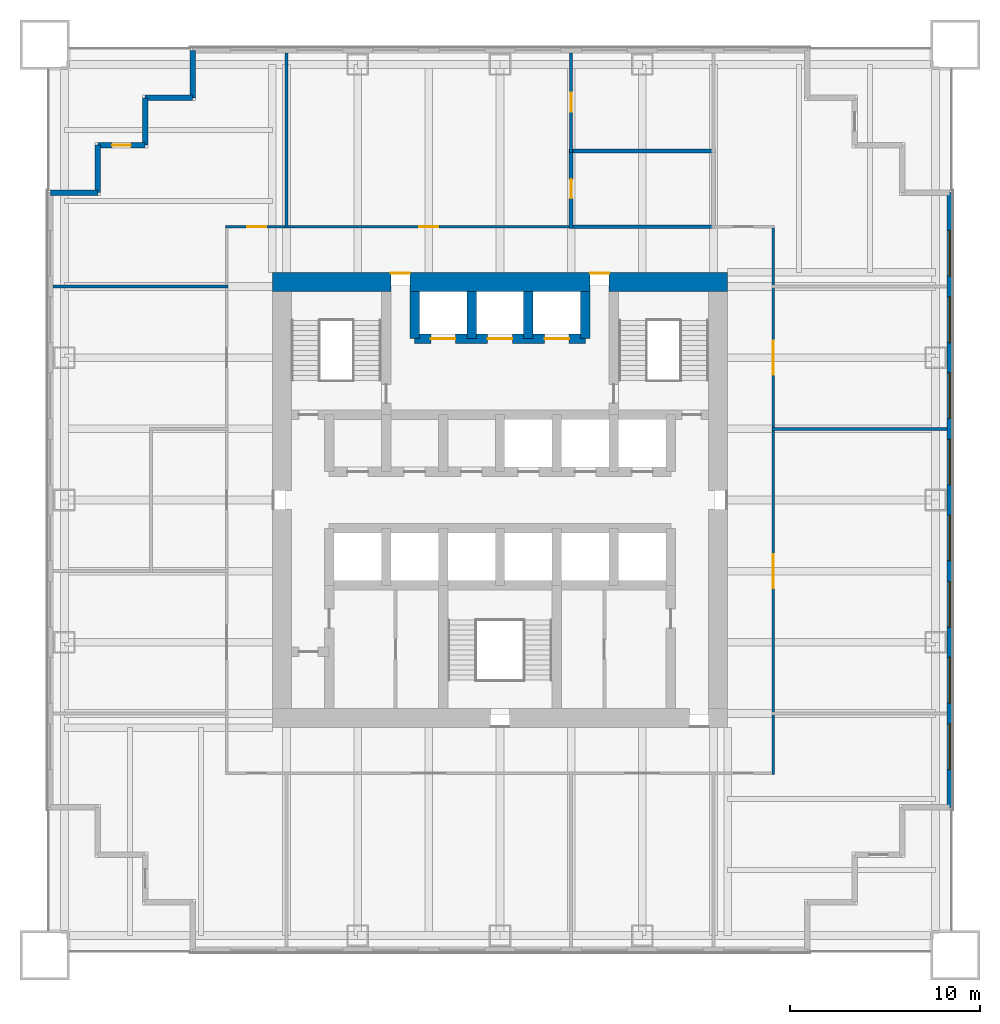
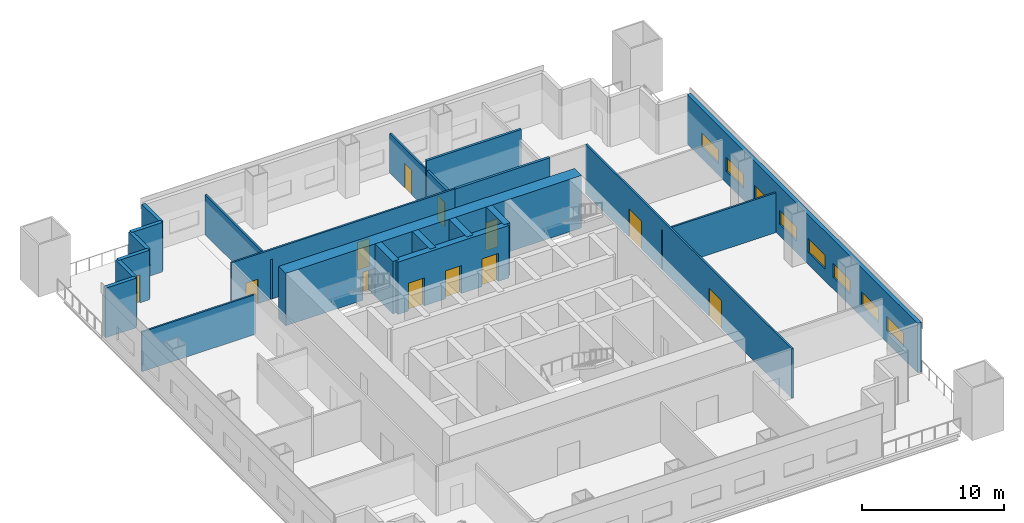
# One storey, part 4 of 7: 22 walls, 12 doors, 8 windows, 20 openings.
"""IFC4 building model written with IfcOpenShell, lengths in metres."""

from ifc_helpers import new_model, si_unit, direction, frame, frame_2d, origin, place, context, subcontext, project, spatial, rectangle, extrude, material, layer, layer_set, type_object, element, fill, save


model = new_model("IFC4")

# Units and contexts
model_context = context("Model", 3, precision=1e-05, world=origin(), true_north=direction((0.0, 1.0)))
body_context = subcontext(model_context, "Body", "Model", "MODEL_VIEW")
ifc_project = project(units=[si_unit("LENGTHUNIT", "METRE"), si_unit("AREAUNIT", "SQUARE_METRE"), si_unit("VOLUMEUNIT", "CUBIC_METRE"), si_unit("PLANEANGLEUNIT", "RADIAN"), si_unit("MASSUNIT", "GRAM", prefix="KILO")], contexts=[model_context])

# Site, building, storey
site_placement = place(None, origin())
site = spatial("IfcSite", under=ifc_project, at=site_placement, CompositionType="ELEMENT")
building_placement = place(site_placement, origin())
building = spatial("IfcBuilding", under=site, at=building_placement, Name="Tarangal Relay Tower", CompositionType="ELEMENT")
storey_placement = place(building_placement, frame((0.0, 0.0, 167.39990234375)))
storey = spatial("IfcBuildingStorey", under=building, at=storey_placement, Name="L34", CompositionType="ELEMENT", Elevation=167.39990234375)

# Walls
ifc_material_1 = material(Name="Two layers gypsum board each side on twin steel studs, mineral wool", Category="steel")
ifc_layer_1 = layer(ifc_material_1, 0.199951171875)
ifc_layer_set_1 = layer_set([ifc_layer_1], Name="Acoustic partition 200")
wall_type_1 = type_object("IfcWallType", Name="Acoustic partition 200", PredefinedType="PARTITIONING", material=ifc_layer_set_1)
for number, where, z_axis, x_axis, name in (
    (1, (3.64990234375, 14.39990234375, 0.0), (0.0, 0.0, 1.0), (1.0, 0.0, 0.0), "Partition PT2 L34"),
    (2, (3.64990234375, 18.39990234375, 0.0), (0.0, 0.0, 1.0), (1.0, 0.0, 0.0), "Partition PT2 L34"),
):
    element("IfcWall", number, at=place(storey_placement, frame(where, z_axis=z_axis, x_axis=x_axis)), inside=storey, type_object=wall_type_1, Name=name, PredefinedType="PARTITIONING", context=body_context, shape_type="SweptSolid", body=[
        extrude(rectangle(XDim=7.7001953125, YDim=0.199951171875, at=frame_2d((3.85009765625, 0.0))), origin(), (0.0, 0.0, 1.0), 4.25),
    ])

# Wall, opening, door
wall_1_placement = place(storey_placement, frame((3.75, 14.300048828125, 0.0), z_axis=(0.0, 0.0, 1.0), x_axis=(0.0, 1.0, 0.0)))
wall_1 = element("IfcWall", 3, at=wall_1_placement, inside=storey, type_object=wall_type_1, Name="Partition PT2 L34", PredefinedType="PARTITIONING", context=body_context, shape_type="SweptSolid", body=[
    extrude(rectangle(XDim=4.199951171875, YDim=0.199951171875, at=frame_2d((2.10009765625, 0.0))), origin(), (0.0, 0.0, 1.0), 3.409423828125),
])
opening_1_placement = place(wall_1_placement, frame((1.60009765625, 0.0, 0.0)))
opening_1 = element("IfcOpeningElement", 4, at=opening_1_placement, cuts=wall_1, Name="Opening D2", PredefinedType="OPENING", context=body_context, shape_type="SweptSolid", body=[
    extrude(rectangle(XDim=1.0, YDim=2.10009765625, at=frame_2d((0.5, 1.050048828125))), frame((0.0, 0.10986328125, 0.0), z_axis=(0.0, -1.0, 0.0), x_axis=(1.0, 0.0, 0.0)), (0.0, 0.0, 1.0), 0.219970703125),
])
ifc_material_2 = material(Name="Hardwood door", Category="wood")
door_type_1 = type_object("IfcDoorType", Name="Door 1000 x 2100", OperationType="SINGLE_SWING_LEFT", PredefinedType="DOOR", material=ifc_material_2)
door_1_placement = place(opening_1_placement, origin())
door_1 = element("IfcDoor", 5, at=door_1_placement, inside=storey, type_object=door_type_1, Name="Door D2 to incident meeting room L34-03", OperationType="SINGLE_SWING_LEFT", OverallHeight=2.10009765625, OverallWidth=1.0, PredefinedType="DOOR", context=body_context, shape_type="SweptSolid", body=[
    extrude(rectangle(XDim=1.0, YDim=2.10009765625, at=frame_2d((0.5, 1.050048828125))), frame((0.0, 0.02490234375, 0.0), z_axis=(0.0, -1.0, 0.0), x_axis=(1.0, 0.0, 0.0)), (0.0, 0.0, 1.0), 0.050048828125),
])
fill(opening_1, door_1)

# Wall, openings, doors
ifc_material_3 = material(Name="Concrete fc' 60 MPa", Category="concrete")
ifc_layer_2 = layer(ifc_material_3, 0.5)
ifc_layer_set_2 = layer_set([ifc_layer_2], Name="Core inner wall 500")
wall_type_2 = type_object("IfcWallType", Name="Core inner wall 500", PredefinedType="SHEAR", material=ifc_layer_set_2)
wall_2_placement = place(storey_placement, frame((-4.5, 8.5, 0.0), z_axis=(0.0, 0.0, 1.0), x_axis=(1.0, 0.0, 0.0)))
wall_2 = element("IfcWall", 6, at=wall_2_placement, inside=storey, type_object=wall_type_2, Name="Core wall Y85 L34", PredefinedType="SHEAR", context=body_context, shape_type="SweptSolid", body=[
    extrude(rectangle(XDim=9.0, YDim=0.5, at=frame_2d((4.5, 0.0))), origin(), (0.0, 0.0, 1.0), 4.5),
])
opening_2_placement = place(wall_2_placement, frame((0.85009765625, 0.0, 0.0)))
opening_2 = element("IfcOpeningElement", 7, at=opening_2_placement, cuts=wall_2, Name="Opening LD2", PredefinedType="OPENING", context=body_context, shape_type="SweptSolid", body=[
    extrude(rectangle(XDim=1.300048828125, YDim=2.39990234375, at=frame_2d((0.64990234375, 1.199951171875))), frame((0.0, 0.260009765625, 0.0), z_axis=(0.0, -1.0, 0.0), x_axis=(1.0, 0.0, 0.0)), (0.0, 0.0, 1.0), 0.52001953125),
])
opening_3_placement = place(wall_2_placement, frame((6.85009765625, 0.0, 0.0)))
opening_3 = element("IfcOpeningElement", 8, at=opening_3_placement, cuts=wall_2, Name="Opening LD2", PredefinedType="OPENING", context=body_context, shape_type="SweptSolid", body=[
    extrude(rectangle(XDim=1.300048828125, YDim=2.39990234375, at=frame_2d((0.64990234375, 1.199951171875))), frame((0.0, 0.260009765625, 0.0), z_axis=(0.0, -1.0, 0.0), x_axis=(1.0, 0.0, 0.0)), (0.0, 0.0, 1.0), 0.52001953125),
])
opening_4_placement = place(wall_2_placement, frame((3.85009765625, 0.0, 0.0)))
opening_4 = element("IfcOpeningElement", 9, at=opening_4_placement, cuts=wall_2, Name="Opening LD2", PredefinedType="OPENING", context=body_context, shape_type="SweptSolid", body=[
    extrude(rectangle(XDim=1.300048828125, YDim=2.39990234375, at=frame_2d((0.64990234375, 1.199951171875))), frame((0.0, 0.260009765625, 0.0), z_axis=(0.0, -1.0, 0.0), x_axis=(1.0, 0.0, 0.0)), (0.0, 0.0, 1.0), 0.52001953125),
])
ifc_material_4 = material(Name="Steel door with hardwood frame", Category="steel")
door_type_2 = type_object("IfcDoorType", Name="Lift landing door 1300 x 2400", OperationType="SLIDING_TO_LEFT", PredefinedType="DOOR", material=ifc_material_4)
door_2_placement = place(opening_2_placement, origin())
door_2 = element("IfcDoor", 10, at=door_2_placement, inside=storey, type_object=door_type_2, Name="Lift FF1 landing door L34", OperationType="SLIDING_TO_LEFT", OverallHeight=2.39990234375, OverallWidth=1.300048828125, PredefinedType="DOOR", context=body_context, shape_type="SweptSolid", body=[
    extrude(rectangle(XDim=1.300048828125, YDim=2.39990234375, at=frame_2d((0.64990234375, 1.199951171875))), frame((0.0, 0.02490234375, 0.0), z_axis=(0.0, -1.0, 0.0), x_axis=(1.0, 0.0, 0.0)), (0.0, 0.0, 1.0), 0.050048828125),
])
fill(opening_2, door_2)
door_3_placement = place(opening_3_placement, origin())
door_3 = element("IfcDoor", 11, at=door_3_placement, inside=storey, type_object=door_type_2, Name="Lift FF2 landing door L34", OperationType="SLIDING_TO_LEFT", OverallHeight=2.39990234375, OverallWidth=1.300048828125, PredefinedType="DOOR", context=body_context, shape_type="SweptSolid", body=[
    extrude(rectangle(XDim=1.300048828125, YDim=2.39990234375, at=frame_2d((0.64990234375, 1.199951171875))), frame((0.0, 0.02490234375, 0.0), z_axis=(0.0, -1.0, 0.0), x_axis=(1.0, 0.0, 0.0)), (0.0, 0.0, 1.0), 0.050048828125),
])
fill(opening_3, door_3)
door_4_placement = place(opening_4_placement, origin())
door_4 = element("IfcDoor", 12, at=door_4_placement, inside=storey, type_object=door_type_2, Name="Lift SV1 landing door L34", OperationType="SLIDING_TO_LEFT", OverallHeight=2.39990234375, OverallWidth=1.300048828125, PredefinedType="DOOR", context=body_context, shape_type="SweptSolid", body=[
    extrude(rectangle(XDim=1.300048828125, YDim=2.39990234375, at=frame_2d((0.64990234375, 1.199951171875))), frame((0.0, 0.02490234375, 0.0), z_axis=(0.0, -1.0, 0.0), x_axis=(1.0, 0.0, 0.0)), (0.0, 0.0, 1.0), 0.050048828125),
])
fill(opening_4, door_4)

# Walls
for number, where, z_axis, x_axis, name in (
    (13, (-4.5, 8.5, 0.0), (0.0, 0.0, 1.0), (0.0, 1.0, 0.0), "Core wall XM45 L34"),
    (14, (4.5, 8.5, 0.0), (0.0, 0.0, 1.0), (0.0, 1.0, 0.0), "Core wall X45 L34"),
    (15, (-1.5, 8.5, 0.0), (0.0, 0.0, 1.0), (0.0, 1.0, 0.0), "Core wall XM15 L34"),
    (16, (1.5, 8.5, 0.0), (0.0, 0.0, 1.0), (0.0, 1.0, 0.0), "Core wall X15 L34"),
):
    element("IfcWall", number, at=place(storey_placement, frame(where, z_axis=z_axis, x_axis=x_axis)), inside=storey, type_object=wall_type_2, Name=name, PredefinedType="SHEAR", context=body_context, shape_type="SweptSolid", body=[
        extrude(rectangle(XDim=2.5, YDim=0.5, at=frame_2d((1.25, 0.0))), origin(), (0.0, 0.0, 1.0), 4.5),
    ])

# Wall, openings, doors
ifc_layer_3 = layer(ifc_material_3, 1.0)
ifc_layer_set_3 = layer_set([ifc_layer_3], Name="Core wall 1000")
wall_type_3 = type_object("IfcWallType", Name="Core wall 1000", PredefinedType="SHEAR", material=ifc_layer_set_3)
wall_3_placement = place(storey_placement, frame((-12.0, 11.5, 0.0), z_axis=(0.0, 0.0, 1.0), x_axis=(1.0, 0.0, 0.0)))
wall_3 = element("IfcWall", 17, at=wall_3_placement, inside=storey, type_object=wall_type_3, Name="Core wall N L34", PredefinedType="SHEAR", context=body_context, shape_type="SweptSolid", body=[
    extrude(rectangle(XDim=24.0, YDim=1.0, at=frame_2d((12.0, 0.0))), origin(), (0.0, 0.0, 1.0), 4.5),
])
opening_5_placement = place(wall_3_placement, frame((6.25, 0.0, 0.0)))
opening_5 = element("IfcOpeningElement", 18, at=opening_5_placement, cuts=wall_3, Name="Opening FD3", PredefinedType="OPENING", context=body_context, shape_type="SweptSolid", body=[
    extrude(rectangle(XDim=1.0, YDim=2.39990234375, at=frame_2d((0.5, 1.199951171875))), frame((0.0, 0.510009765625, 0.0), z_axis=(0.0, -1.0, 0.0), x_axis=(1.0, 0.0, 0.0)), (0.0, 0.0, 1.0), 1.02001953125),
])
opening_6_placement = place(wall_3_placement, frame((16.75, 0.0, 0.0)))
opening_6 = element("IfcOpeningElement", 19, at=opening_6_placement, cuts=wall_3, Name="Opening FD3", PredefinedType="OPENING", context=body_context, shape_type="SweptSolid", body=[
    extrude(rectangle(XDim=1.0, YDim=2.39990234375, at=frame_2d((0.5, 1.199951171875))), frame((0.0, 0.510009765625, 0.0), z_axis=(0.0, -1.0, 0.0), x_axis=(1.0, 0.0, 0.0)), (0.0, 0.0, 1.0), 1.02001953125),
])
door_type_3 = type_object("IfcDoorType", Name="Fire door 1000 x 2400 core entry", OperationType="SINGLE_SWING_RIGHT", PredefinedType="DOOR", material=ifc_material_4)
door_5_placement = place(opening_5_placement, origin())
door_5 = element("IfcDoor", 20, at=door_5_placement, inside=storey, type_object=door_type_3, Name="Core entry door north west L34", OperationType="SINGLE_SWING_RIGHT", OverallHeight=2.39990234375, OverallWidth=1.0, PredefinedType="DOOR", context=body_context, shape_type="SweptSolid", body=[
    extrude(rectangle(XDim=1.0, YDim=2.39990234375, at=frame_2d((0.5, 1.199951171875))), frame((0.0, 0.48486328125, 0.0), z_axis=(0.0, -1.0, 0.0), x_axis=(1.0, 0.0, 0.0)), (0.0, 0.0, 1.0), 0.050048828125),
])
fill(opening_5, door_5)
door_6_placement = place(opening_6_placement, origin())
door_6 = element("IfcDoor", 21, at=door_6_placement, inside=storey, type_object=door_type_3, Name="Core entry door north east L34", OperationType="SINGLE_SWING_RIGHT", OverallHeight=2.39990234375, OverallWidth=1.0, PredefinedType="DOOR", context=body_context, shape_type="SweptSolid", body=[
    extrude(rectangle(XDim=1.0, YDim=2.39990234375, at=frame_2d((0.5, 1.199951171875))), frame((0.0, 0.48486328125, 0.0), z_axis=(0.0, -1.0, 0.0), x_axis=(1.0, 0.0, 0.0)), (0.0, 0.0, 1.0), 0.050048828125),
])
fill(opening_6, door_6)

# Wall, openings, windows
ifc_material_5 = material(Name="Insulated precast concrete fc' 40 MPa", Category="concrete")
ifc_layer_4 = layer(ifc_material_5, 0.300048828125)
ifc_layer_set_4 = layer_set([ifc_layer_4], Name="Insulated precast concrete fc' 40 MPa")
wall_type_4 = type_object("IfcWallType", Name="Facade wall precast 300", PredefinedType="SOLIDWALL", material=ifc_layer_set_4)
wall_4_placement = place(storey_placement, frame((23.699951171875, 16.199951171875, 0.0), z_axis=(0.0, 0.0, 1.0), x_axis=(0.0, -1.0, 0.0)))
wall_4 = element("IfcWall", 22, at=wall_4_placement, inside=storey, type_object=wall_type_4, Name="Facade wall E facade L34", PredefinedType="SOLIDWALL", context=body_context, shape_type="SweptSolid", body=[
    extrude(rectangle(XDim=32.39990234375, YDim=0.300048828125, at=frame_2d((16.199951171875, 0.0))), origin(), (0.0, 0.0, 1.0), 4.25),
])
opening_7_placement = place(wall_4_placement, frame((2.0, 0.0, 1.0)))
opening_7 = element("IfcOpeningElement", 23, at=opening_7_placement, cuts=wall_4, Name="Opening WN1", PredefinedType="OPENING", context=body_context, shape_type="SweptSolid", body=[
    extrude(rectangle(XDim=2.39990234375, YDim=1.199951171875, at=frame_2d((1.199951171875, 0.60009765625))), frame((0.0, 0.159912109375, 0.0), z_axis=(0.0, -1.0, 0.0), x_axis=(1.0, 0.0, 0.0)), (0.0, 0.0, 1.0), 0.320068359375),
])
opening_8_placement = place(wall_4_placement, frame((5.5, 0.0, 1.0)))
opening_8 = element("IfcOpeningElement", 24, at=opening_8_placement, cuts=wall_4, Name="Opening WN1", PredefinedType="OPENING", context=body_context, shape_type="SweptSolid", body=[
    extrude(rectangle(XDim=2.39990234375, YDim=1.199951171875, at=frame_2d((1.199951171875, 0.60009765625))), frame((0.0, 0.159912109375, 0.0), z_axis=(0.0, -1.0, 0.0), x_axis=(1.0, 0.0, 0.0)), (0.0, 0.0, 1.0), 0.320068359375),
])
opening_9_placement = place(wall_4_placement, frame((9.5, 0.0, 1.0)))
opening_9 = element("IfcOpeningElement", 25, at=opening_9_placement, cuts=wall_4, Name="Opening WN1", PredefinedType="OPENING", context=body_context, shape_type="SweptSolid", body=[
    extrude(rectangle(XDim=2.39990234375, YDim=1.199951171875, at=frame_2d((1.199951171875, 0.60009765625))), frame((0.0, 0.159912109375, 0.0), z_axis=(0.0, -1.0, 0.0), x_axis=(1.0, 0.0, 0.0)), (0.0, 0.0, 1.0), 0.320068359375),
])
opening_10_placement = place(wall_4_placement, frame((13.0, 0.0, 1.0)))
opening_10 = element("IfcOpeningElement", 26, at=opening_10_placement, cuts=wall_4, Name="Opening WN1", PredefinedType="OPENING", context=body_context, shape_type="SweptSolid", body=[
    extrude(rectangle(XDim=2.39990234375, YDim=1.199951171875, at=frame_2d((1.199951171875, 0.60009765625))), frame((0.0, 0.159912109375, 0.0), z_axis=(0.0, -1.0, 0.0), x_axis=(1.0, 0.0, 0.0)), (0.0, 0.0, 1.0), 0.320068359375),
])
opening_11_placement = place(wall_4_placement, frame((17.0, 0.0, 1.0)))
opening_11 = element("IfcOpeningElement", 27, at=opening_11_placement, cuts=wall_4, Name="Opening WN1", PredefinedType="OPENING", context=body_context, shape_type="SweptSolid", body=[
    extrude(rectangle(XDim=2.39990234375, YDim=1.199951171875, at=frame_2d((1.199951171875, 0.60009765625))), frame((0.0, 0.159912109375, 0.0), z_axis=(0.0, -1.0, 0.0), x_axis=(1.0, 0.0, 0.0)), (0.0, 0.0, 1.0), 0.320068359375),
])
opening_12_placement = place(wall_4_placement, frame((20.5, 0.0, 1.0)))
opening_12 = element("IfcOpeningElement", 28, at=opening_12_placement, cuts=wall_4, Name="Opening WN1", PredefinedType="OPENING", context=body_context, shape_type="SweptSolid", body=[
    extrude(rectangle(XDim=2.39990234375, YDim=1.199951171875, at=frame_2d((1.199951171875, 0.60009765625))), frame((0.0, 0.159912109375, 0.0), z_axis=(0.0, -1.0, 0.0), x_axis=(1.0, 0.0, 0.0)), (0.0, 0.0, 1.0), 0.320068359375),
])
opening_13_placement = place(wall_4_placement, frame((24.5, 0.0, 1.0)))
opening_13 = element("IfcOpeningElement", 29, at=opening_13_placement, cuts=wall_4, Name="Opening WN1", PredefinedType="OPENING", context=body_context, shape_type="SweptSolid", body=[
    extrude(rectangle(XDim=2.39990234375, YDim=1.199951171875, at=frame_2d((1.199951171875, 0.60009765625))), frame((0.0, 0.159912109375, 0.0), z_axis=(0.0, -1.0, 0.0), x_axis=(1.0, 0.0, 0.0)), (0.0, 0.0, 1.0), 0.320068359375),
])
opening_14_placement = place(wall_4_placement, frame((28.0, 0.0, 1.0)))
opening_14 = element("IfcOpeningElement", 30, at=opening_14_placement, cuts=wall_4, Name="Opening WN1", PredefinedType="OPENING", context=body_context, shape_type="SweptSolid", body=[
    extrude(rectangle(XDim=2.39990234375, YDim=1.199951171875, at=frame_2d((1.199951171875, 0.60009765625))), frame((0.0, 0.159912109375, 0.0), z_axis=(0.0, -1.0, 0.0), x_axis=(1.0, 0.0, 0.0)), (0.0, 0.0, 1.0), 0.320068359375),
])
ifc_material_6 = material(Name="Dark tinted double glazing in black aluminium frame", Category="aluminium")
window_type = type_object("IfcWindowType", Name="Ribbon window 2400 x 1200", PartitioningType="SINGLE_PANEL", PredefinedType="WINDOW", material=ifc_material_6)
window_1_placement = place(opening_7_placement, origin())
window_1 = element("IfcWindow", 31, at=window_1_placement, inside=storey, type_object=window_type, Name="Ribbon window WN1 E facade L34", OverallHeight=1.199951171875, OverallWidth=2.39990234375, PartitioningType="SINGLE_PANEL", PredefinedType="WINDOW", context=body_context, shape_type="SweptSolid", body=[
    extrude(rectangle(XDim=2.39990234375, YDim=1.199951171875, at=frame_2d((1.199951171875, 0.60009765625))), frame((0.0, 0.030029296875, 0.0), z_axis=(0.0, -1.0, 0.0), x_axis=(1.0, 0.0, 0.0)), (0.0, 0.0, 1.0), 0.06005859375),
])
fill(opening_7, window_1)
window_2_placement = place(opening_8_placement, origin())
window_2 = element("IfcWindow", 32, at=window_2_placement, inside=storey, type_object=window_type, Name="Ribbon window WN1 E facade L34", OverallHeight=1.199951171875, OverallWidth=2.39990234375, PartitioningType="SINGLE_PANEL", PredefinedType="WINDOW", context=body_context, shape_type="SweptSolid", body=[
    extrude(rectangle(XDim=2.39990234375, YDim=1.199951171875, at=frame_2d((1.199951171875, 0.60009765625))), frame((0.0, 0.030029296875, 0.0), z_axis=(0.0, -1.0, 0.0), x_axis=(1.0, 0.0, 0.0)), (0.0, 0.0, 1.0), 0.06005859375),
])
fill(opening_8, window_2)
window_3_placement = place(opening_9_placement, origin())
window_3 = element("IfcWindow", 33, at=window_3_placement, inside=storey, type_object=window_type, Name="Ribbon window WN1 E facade L34", OverallHeight=1.199951171875, OverallWidth=2.39990234375, PartitioningType="SINGLE_PANEL", PredefinedType="WINDOW", context=body_context, shape_type="SweptSolid", body=[
    extrude(rectangle(XDim=2.39990234375, YDim=1.199951171875, at=frame_2d((1.199951171875, 0.60009765625))), frame((0.0, 0.030029296875, 0.0), z_axis=(0.0, -1.0, 0.0), x_axis=(1.0, 0.0, 0.0)), (0.0, 0.0, 1.0), 0.06005859375),
])
fill(opening_9, window_3)
window_4_placement = place(opening_10_placement, origin())
window_4 = element("IfcWindow", 34, at=window_4_placement, inside=storey, type_object=window_type, Name="Ribbon window WN1 E facade L34", OverallHeight=1.199951171875, OverallWidth=2.39990234375, PartitioningType="SINGLE_PANEL", PredefinedType="WINDOW", context=body_context, shape_type="SweptSolid", body=[
    extrude(rectangle(XDim=2.39990234375, YDim=1.199951171875, at=frame_2d((1.199951171875, 0.60009765625))), frame((0.0, 0.030029296875, 0.0), z_axis=(0.0, -1.0, 0.0), x_axis=(1.0, 0.0, 0.0)), (0.0, 0.0, 1.0), 0.06005859375),
])
fill(opening_10, window_4)
window_5_placement = place(opening_11_placement, origin())
window_5 = element("IfcWindow", 35, at=window_5_placement, inside=storey, type_object=window_type, Name="Ribbon window WN1 E facade L34", OverallHeight=1.199951171875, OverallWidth=2.39990234375, PartitioningType="SINGLE_PANEL", PredefinedType="WINDOW", context=body_context, shape_type="SweptSolid", body=[
    extrude(rectangle(XDim=2.39990234375, YDim=1.199951171875, at=frame_2d((1.199951171875, 0.60009765625))), frame((0.0, 0.030029296875, 0.0), z_axis=(0.0, -1.0, 0.0), x_axis=(1.0, 0.0, 0.0)), (0.0, 0.0, 1.0), 0.06005859375),
])
fill(opening_11, window_5)
window_6_placement = place(opening_12_placement, origin())
window_6 = element("IfcWindow", 36, at=window_6_placement, inside=storey, type_object=window_type, Name="Ribbon window WN1 E facade L34", OverallHeight=1.199951171875, OverallWidth=2.39990234375, PartitioningType="SINGLE_PANEL", PredefinedType="WINDOW", context=body_context, shape_type="SweptSolid", body=[
    extrude(rectangle(XDim=2.39990234375, YDim=1.199951171875, at=frame_2d((1.199951171875, 0.60009765625))), frame((0.0, 0.030029296875, 0.0), z_axis=(0.0, -1.0, 0.0), x_axis=(1.0, 0.0, 0.0)), (0.0, 0.0, 1.0), 0.06005859375),
])
fill(opening_12, window_6)
window_7_placement = place(opening_13_placement, origin())
window_7 = element("IfcWindow", 37, at=window_7_placement, inside=storey, type_object=window_type, Name="Ribbon window WN1 E facade L34", OverallHeight=1.199951171875, OverallWidth=2.39990234375, PartitioningType="SINGLE_PANEL", PredefinedType="WINDOW", context=body_context, shape_type="SweptSolid", body=[
    extrude(rectangle(XDim=2.39990234375, YDim=1.199951171875, at=frame_2d((1.199951171875, 0.60009765625))), frame((0.0, 0.030029296875, 0.0), z_axis=(0.0, -1.0, 0.0), x_axis=(1.0, 0.0, 0.0)), (0.0, 0.0, 1.0), 0.06005859375),
])
fill(opening_13, window_7)
window_8_placement = place(opening_14_placement, origin())
window_8 = element("IfcWindow", 38, at=window_8_placement, inside=storey, type_object=window_type, Name="Ribbon window WN1 E facade L34", OverallHeight=1.199951171875, OverallWidth=2.39990234375, PartitioningType="SINGLE_PANEL", PredefinedType="WINDOW", context=body_context, shape_type="SweptSolid", body=[
    extrude(rectangle(XDim=2.39990234375, YDim=1.199951171875, at=frame_2d((1.199951171875, 0.60009765625))), frame((0.0, 0.030029296875, 0.0), z_axis=(0.0, -1.0, 0.0), x_axis=(1.0, 0.0, 0.0)), (0.0, 0.0, 1.0), 0.06005859375),
])
fill(opening_14, window_8)

# Walls
for number, where, z_axis, x_axis, name in (
    (39, (-23.699951171875, 16.199951171875, 0.0), (0.0, 0.0, 1.0), (1.0, 0.0, 0.0), "Facade wall W facade L34"),
    (40, (-21.199951171875, 16.199951171875, 0.0), (0.0, 0.0, 1.0), (0.0, 1.0, 0.0), "Facade wall W facade L34"),
):
    element("IfcWall", number, at=place(storey_placement, frame(where, z_axis=z_axis, x_axis=x_axis)), inside=storey, type_object=wall_type_4, Name=name, PredefinedType="SOLIDWALL", context=body_context, shape_type="SweptSolid", body=[
        extrude(rectangle(XDim=2.5, YDim=0.300048828125, at=frame_2d((1.25, 0.0))), origin(), (0.0, 0.0, 1.0), 4.25),
    ])

# Wall, opening, door
wall_5_placement = place(storey_placement, frame((-21.199951171875, 18.699951171875, 0.0), z_axis=(0.0, 0.0, 1.0), x_axis=(1.0, 0.0, 0.0)))
wall_5 = element("IfcWall", 41, at=wall_5_placement, inside=storey, type_object=wall_type_4, Name="Facade wall W facade L34", PredefinedType="SOLIDWALL", context=body_context, shape_type="SweptSolid", body=[
    extrude(rectangle(XDim=2.5, YDim=0.300048828125, at=frame_2d((1.25, 0.0))), origin(), (0.0, 0.0, 1.0), 4.25),
])
opening_15_placement = place(wall_5_placement, frame((0.75, 0.0, 0.0)))
opening_15 = element("IfcOpeningElement", 42, at=opening_15_placement, cuts=wall_5, Name="Opening TD1", PredefinedType="OPENING", context=body_context, shape_type="SweptSolid", body=[
    extrude(rectangle(XDim=1.0, YDim=2.39990234375, at=frame_2d((0.5, 1.199951171875))), frame((0.0, 0.159912109375, 0.0), z_axis=(0.0, -1.0, 0.0), x_axis=(1.0, 0.0, 0.0)), (0.0, 0.0, 1.0), 0.320068359375),
])
ifc_material_7 = material(Name="Aluminium glazed door", Category="aluminium")
door_type_4 = type_object("IfcDoorType", Name="Terrace door 1000 x 2400", OperationType="SINGLE_SWING_RIGHT", PredefinedType="DOOR", material=ifc_material_7)
door_7_placement = place(opening_15_placement, origin())
door_7 = element("IfcDoor", 43, at=door_7_placement, inside=storey, type_object=door_type_4, Name="Terrace door TD1 NW L34", OperationType="SINGLE_SWING_RIGHT", OverallHeight=2.39990234375, OverallWidth=1.0, PredefinedType="DOOR", context=body_context, shape_type="SweptSolid", body=[
    extrude(rectangle(XDim=1.0, YDim=2.39990234375, at=frame_2d((0.5, 1.199951171875))), frame((0.0, 0.02490234375, 0.0), z_axis=(0.0, -1.0, 0.0), x_axis=(1.0, 0.0, 0.0)), (0.0, 0.0, 1.0), 0.050048828125),
])
fill(opening_15, door_7)

# Walls
for number, where, z_axis, x_axis, name in (
    (44, (-18.699951171875, 18.699951171875, 0.0), (0.0, 0.0, 1.0), (0.0, 1.0, 0.0), "Facade wall W facade L34"),
    (45, (-18.699951171875, 21.199951171875, 0.0), (0.0, 0.0, 1.0), (1.0, 0.0, 0.0), "Facade wall W facade L34"),
    (46, (-16.199951171875, 21.199951171875, 0.0), (0.0, 0.0, 1.0), (0.0, 1.0, 0.0), "Facade wall W facade L34"),
):
    element("IfcWall", number, at=place(storey_placement, frame(where, z_axis=z_axis, x_axis=x_axis)), inside=storey, type_object=wall_type_4, Name=name, PredefinedType="SOLIDWALL", context=body_context, shape_type="SweptSolid", body=[
        extrude(rectangle(XDim=2.5, YDim=0.300048828125, at=frame_2d((1.25, 0.0))), origin(), (0.0, 0.0, 1.0), 4.25),
    ])
ifc_material_8 = material(Name="Gypsum board on steel studs", Category="steel")
ifc_layer_5 = layer(ifc_material_8, 0.14990234375)
ifc_layer_set_5 = layer_set([ifc_layer_5], Name="Partition 150")
wall_type_5 = type_object("IfcWallType", Name="Partition 150", PredefinedType="PARTITIONING", material=ifc_layer_set_5)
for number, where, z_axis, x_axis, name in (
    (47, (14.324951171875, 3.75, 0.0), (0.0, 0.0, 1.0), (1.0, 0.0, 0.0), "Partition PT1 L34"),
    (48, (-23.550048828125, 11.25, 0.0), (0.0, 0.0, 1.0), (1.0, 0.0, 0.0), "Partition PT1 L34"),
):
    element("IfcWall", number, at=place(storey_placement, frame(where, z_axis=z_axis, x_axis=x_axis)), inside=storey, type_object=wall_type_5, Name=name, PredefinedType="PARTITIONING", context=body_context, shape_type="SweptSolid", body=[
        extrude(rectangle(XDim=9.22509765625, YDim=0.14990234375, at=frame_2d((4.612548828125, 0.0))), origin(), (0.0, 0.0, 1.0), 3.409423828125),
    ])

# Wall, openings, doors
wall_6_placement = place(storey_placement, frame((-14.47509765625, 14.39990234375, 0.0), z_axis=(0.0, 0.0, 1.0), x_axis=(1.0, 0.0, 0.0)))
wall_6 = element("IfcWall", 49, at=wall_6_placement, inside=storey, type_object=wall_type_5, Name="Partition PT1 L34", PredefinedType="PARTITIONING", context=body_context, shape_type="SweptSolid", body=[
    extrude(rectangle(XDim=18.300048828125, YDim=0.14990234375, at=frame_2d((9.14990234375, 0.0))), origin(), (0.0, 0.0, 1.0), 4.25),
])
opening_16_placement = place(wall_6_placement, frame((10.22509765625, 0.0, 0.0)))
opening_16 = element("IfcOpeningElement", 50, at=opening_16_placement, cuts=wall_6, Name="Opening SD1", PredefinedType="OPENING", context=body_context, shape_type="SweptSolid", body=[
    extrude(rectangle(XDim=1.0, YDim=2.39990234375, at=frame_2d((0.5, 1.199951171875))), frame((0.0, 0.0849609375, 0.0), z_axis=(0.0, -1.0, 0.0), x_axis=(1.0, 0.0, 0.0)), (0.0, 0.0, 1.0), 0.169921875),
])
opening_17_placement = place(wall_6_placement, frame((1.14990234375, 0.0, 0.0)))
opening_17 = element("IfcOpeningElement", 51, at=opening_17_placement, cuts=wall_6, Name="Opening D2", PredefinedType="OPENING", context=body_context, shape_type="SweptSolid", body=[
    extrude(rectangle(XDim=1.0, YDim=2.10009765625, at=frame_2d((0.5, 1.050048828125))), frame((0.0, 0.0849609375, 0.0), z_axis=(0.0, -1.0, 0.0), x_axis=(1.0, 0.0, 0.0)), (0.0, 0.0, 1.0), 0.169921875),
])
door_8_placement = place(opening_17_placement, origin())
door_8 = element("IfcDoor", 52, at=door_8_placement, inside=storey, type_object=door_type_1, Name="Door D2 to rack staging room L34-15", OperationType="SINGLE_SWING_LEFT", OverallHeight=2.10009765625, OverallWidth=1.0, PredefinedType="DOOR", context=body_context, shape_type="SweptSolid", body=[
    extrude(rectangle(XDim=1.0, YDim=2.10009765625, at=frame_2d((0.5, 1.050048828125))), frame((0.0, 0.02490234375, 0.0), z_axis=(0.0, -1.0, 0.0), x_axis=(1.0, 0.0, 0.0)), (0.0, 0.0, 1.0), 0.050048828125),
])
fill(opening_17, door_8)
door_type_5 = type_object("IfcDoorType", Name="Suite entrance door 1000 x 2400", OperationType="SINGLE_SWING_RIGHT", PredefinedType="DOOR", material=ifc_material_4)
door_9_placement = place(opening_16_placement, origin())
door_9 = element("IfcDoor", 53, at=door_9_placement, inside=storey, type_object=door_type_5, Name="Door SD1 to network operations room L34-02", OperationType="SINGLE_SWING_RIGHT", OverallHeight=2.39990234375, OverallWidth=1.0, PredefinedType="DOOR", context=body_context, shape_type="SweptSolid", body=[
    extrude(rectangle(XDim=1.0, YDim=2.39990234375, at=frame_2d((0.5, 1.199951171875))), frame((0.0, 0.02490234375, 0.0), z_axis=(0.0, -1.0, 0.0), x_axis=(1.0, 0.0, 0.0)), (0.0, 0.0, 1.0), 0.050048828125),
])
fill(opening_16, door_9)

# Wall
wall_7_placement = place(storey_placement, frame((-11.25, 14.324951171875, 0.0), z_axis=(0.0, 0.0, 1.0), x_axis=(0.0, 1.0, 0.0)))
element("IfcWall", 54, at=wall_7_placement, inside=storey, type_object=wall_type_5, Name="Partition PT1 L34", PredefinedType="PARTITIONING", context=body_context, shape_type="SweptSolid", body=[
    extrude(rectangle(XDim=9.22509765625, YDim=0.14990234375, at=frame_2d((4.612548828125, 0.0))), origin(), (0.0, 0.0, 1.0), 3.409423828125),
])

# Wall, opening, door
wall_8_placement = place(storey_placement, frame((3.75, 18.324951171875, 0.0), z_axis=(0.0, 0.0, 1.0), x_axis=(0.0, 1.0, 0.0)))
wall_8 = element("IfcWall", 55, at=wall_8_placement, inside=storey, type_object=wall_type_5, Name="Partition PT1 L34", PredefinedType="PARTITIONING", context=body_context, shape_type="SweptSolid", body=[
    extrude(rectangle(XDim=5.22509765625, YDim=0.14990234375, at=frame_2d((2.612548828125, 0.0))), origin(), (0.0, 0.0, 1.0), 3.409423828125),
])
opening_18_placement = place(wall_8_placement, frame((2.14990234375, 0.0, 0.0)))
opening_18 = element("IfcOpeningElement", 56, at=opening_18_placement, cuts=wall_8, Name="Opening D2", PredefinedType="OPENING", context=body_context, shape_type="SweptSolid", body=[
    extrude(rectangle(XDim=1.0, YDim=2.10009765625, at=frame_2d((0.5, 1.050048828125))), frame((0.0, 0.0849609375, 0.0), z_axis=(0.0, -1.0, 0.0), x_axis=(1.0, 0.0, 0.0)), (0.0, 0.0, 1.0), 0.169921875),
])
door_10_placement = place(opening_18_placement, origin())
door_10 = element("IfcDoor", 57, at=door_10_placement, inside=storey, type_object=door_type_1, Name="Door D2 to shift manager office L34-04", OperationType="SINGLE_SWING_LEFT", OverallHeight=2.10009765625, OverallWidth=1.0, PredefinedType="DOOR", context=body_context, shape_type="SweptSolid", body=[
    extrude(rectangle(XDim=1.0, YDim=2.10009765625, at=frame_2d((0.5, 1.050048828125))), frame((0.0, 0.02490234375, 0.0), z_axis=(0.0, -1.0, 0.0), x_axis=(1.0, 0.0, 0.0)), (0.0, 0.0, 1.0), 0.050048828125),
])
fill(opening_18, door_10)

# Wall, openings, doors
wall_9_placement = place(storey_placement, frame((14.39990234375, -14.47509765625, 0.0), z_axis=(0.0, 0.0, 1.0), x_axis=(0.0, 1.0, 0.0)))
wall_9 = element("IfcWall", 58, at=wall_9_placement, inside=storey, type_object=wall_type_5, Name="Partition PT1 L34", PredefinedType="PARTITIONING", context=body_context, shape_type="SweptSolid", body=[
    extrude(rectangle(XDim=28.9501953125, YDim=0.14990234375, at=frame_2d((14.47509765625, 0.0))), origin(), (0.0, 0.0, 1.0), 4.25),
])
opening_19_placement = place(wall_9_placement, frame((21.074951171875, 0.0, 0.0)))
opening_19 = element("IfcOpeningElement", 59, at=opening_19_placement, cuts=wall_9, Name="Opening DD1", PredefinedType="OPENING", context=body_context, shape_type="SweptSolid", body=[
    extrude(rectangle(XDim=1.800048828125, YDim=2.39990234375, at=frame_2d((0.89990234375, 1.199951171875))), frame((0.0, 0.0849609375, 0.0), z_axis=(0.0, -1.0, 0.0), x_axis=(1.0, 0.0, 0.0)), (0.0, 0.0, 1.0), 0.169921875),
])
opening_20_placement = place(wall_9_placement, frame((9.824951171875, 0.0, 0.0)))
opening_20 = element("IfcOpeningElement", 60, at=opening_20_placement, cuts=wall_9, Name="Opening DD1", PredefinedType="OPENING", context=body_context, shape_type="SweptSolid", body=[
    extrude(rectangle(XDim=1.800048828125, YDim=2.39990234375, at=frame_2d((0.89990234375, 1.199951171875))), frame((0.0, 0.0849609375, 0.0), z_axis=(0.0, -1.0, 0.0), x_axis=(1.0, 0.0, 0.0)), (0.0, 0.0, 1.0), 0.169921875),
])
door_type_6 = type_object("IfcDoorType", Name="Equipment double door 1800 x 2400", OperationType="DOUBLE_DOOR_SINGLE_SWING", PredefinedType="DOOR", material=ifc_material_4)
door_11_placement = place(opening_19_placement, origin())
door_11 = element("IfcDoor", 61, at=door_11_placement, inside=storey, type_object=door_type_6, Name="Door DD1 to telecom equipment room L34-05", OperationType="DOUBLE_DOOR_SINGLE_SWING", OverallHeight=2.39990234375, OverallWidth=1.800048828125, PredefinedType="DOOR", context=body_context, shape_type="SweptSolid", body=[
    extrude(rectangle(XDim=1.800048828125, YDim=2.39990234375, at=frame_2d((0.89990234375, 1.199951171875))), frame((0.0, 0.02490234375, 0.0), z_axis=(0.0, -1.0, 0.0), x_axis=(1.0, 0.0, 0.0)), (0.0, 0.0, 1.0), 0.050048828125),
])
fill(opening_19, door_11)
door_12_placement = place(opening_20_placement, origin())
door_12 = element("IfcDoor", 62, at=door_12_placement, inside=storey, type_object=door_type_6, Name="Door DD1 to telecom equipment room L34-06", OperationType="DOUBLE_DOOR_SINGLE_SWING", OverallHeight=2.39990234375, OverallWidth=1.800048828125, PredefinedType="DOOR", context=body_context, shape_type="SweptSolid", body=[
    extrude(rectangle(XDim=1.800048828125, YDim=2.39990234375, at=frame_2d((0.89990234375, 1.199951171875))), frame((0.0, 0.02490234375, 0.0), z_axis=(0.0, -1.0, 0.0), x_axis=(1.0, 0.0, 0.0)), (0.0, 0.0, 1.0), 0.050048828125),
])
fill(opening_20, door_12)

save(model, "model.ifc")
